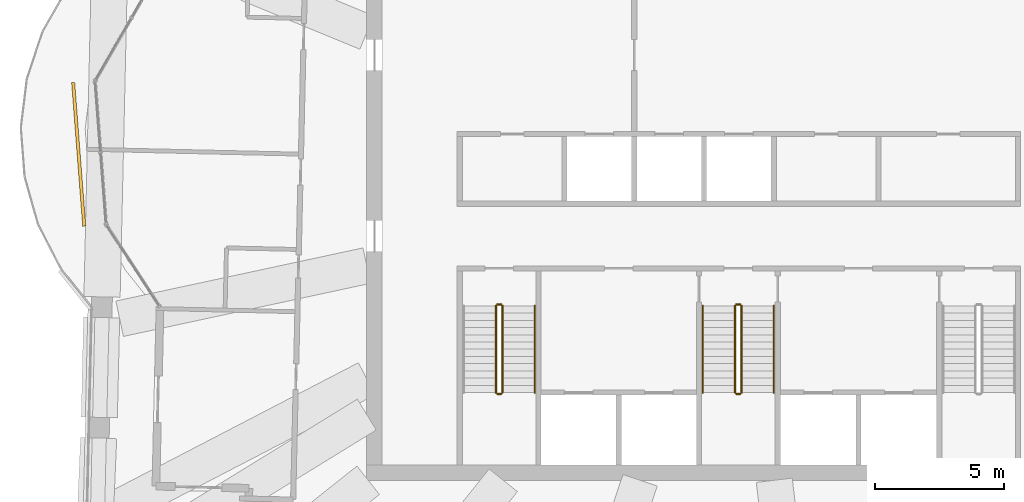
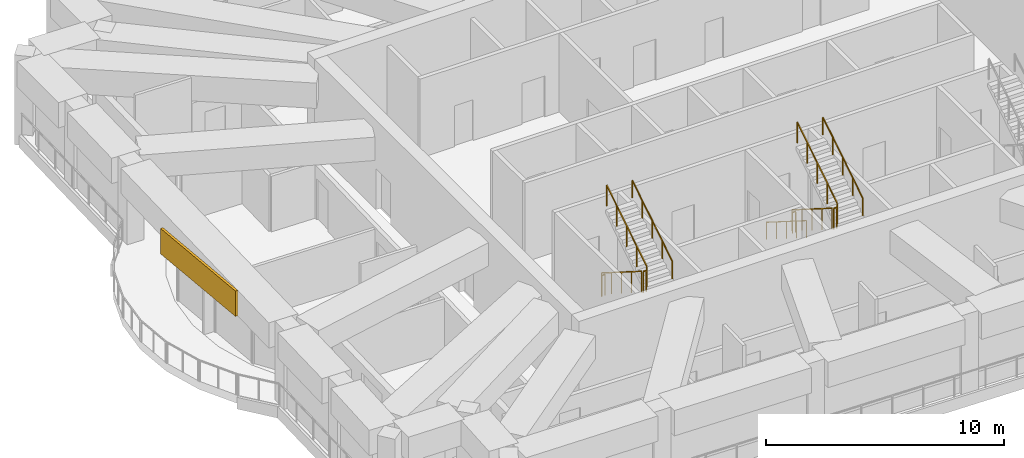
# One storey, part 15 of 19: 11 railings, 1 covering.
"""IFC4 building model written with IfcOpenShell, lengths in metres."""

from ifc_helpers import new_model, si_unit, direction, frame, frame_2d, origin, origin_2d, place, context, subcontext, project, spatial, rectangle, circle, extrude, material, layer, layer_set, type_object, element, save


model = new_model("IFC4")

# Units and contexts
model_context = context("Model", 3, precision=1e-05, world=origin(), true_north=direction((0.0, 1.0)))
body_context = subcontext(model_context, "Body", "Model", "MODEL_VIEW")
ifc_project = project(units=[si_unit("LENGTHUNIT", "METRE"), si_unit("AREAUNIT", "SQUARE_METRE"), si_unit("VOLUMEUNIT", "CUBIC_METRE"), si_unit("PLANEANGLEUNIT", "RADIAN"), si_unit("MASSUNIT", "GRAM", prefix="KILO")], contexts=[model_context])

# Site, building, storey
site_placement = place(None, origin())
site = spatial("IfcSite", under=ifc_project, at=site_placement, CompositionType="ELEMENT")
building_placement = place(site_placement, origin())
building = spatial("IfcBuilding", under=site, at=building_placement, Name="Mangrove Gate Tower", CompositionType="ELEMENT")
storey_placement = place(building_placement, frame((0.0, 0.0, 346.10009765625)))
storey = spatial("IfcBuildingStorey", under=building, at=storey_placement, Name="L88", CompositionType="ELEMENT", Elevation=346.10009765625)

# Railings
ifc_material_1 = material(Name="Stainless steel 316", Category="steel")
railing_type_1 = type_object("IfcRailingType", Name="Core stair guard 1100", PredefinedType="GUARDRAIL", material=ifc_material_1)
railing_1_placement = place(storey_placement, frame((-9.39990234375, -4.64990234375, 0.1767578125)))
element("IfcRailing", 1, at=railing_1_placement, inside=storey, type_object=railing_type_1, Name="L88 ST1 stair guard 1", PredefinedType="GUARDRAIL", context=body_context, shape_type="SweptSolid", body=[
    extrude(rectangle(XDim=0.048095703125, YDim=0.048095703125, at=origin_2d()), frame((0.0, 0.0, 1.076171875), z_axis=(0.0, -0.845389635667, 0.534150132366), x_axis=(1.0, 0.0, 0.0)), (0.0, 0.0, 1.0), 3.974609375),
    extrude(rectangle(XDim=0.0419921875, YDim=0.0419921875, at=origin_2d()), origin(), (0.0, 0.0, 1.0), 1.052001953125),
    extrude(rectangle(XDim=0.0419921875, YDim=0.0419921875, at=origin_2d()), frame((0.0, -0.840087890625, 0.53076171875)), (0.0, 0.0, 1.0), 1.052001953125),
    extrude(rectangle(XDim=0.0419921875, YDim=0.0419921875, at=origin_2d()), frame((0.0, -1.68017578125, 1.0615234375)), (0.0, 0.0, 1.0), 1.052001953125),
    extrude(rectangle(XDim=0.0419921875, YDim=0.0419921875, at=origin_2d()), frame((0.0, -2.52001953125, 1.59228515625)), (0.0, 0.0, 1.0), 1.052001953125),
    extrude(rectangle(XDim=0.0419921875, YDim=0.0419921875, at=origin_2d()), frame((0.0, -3.360107421875, 2.123046875)), (0.0, 0.0, 1.0), 1.052001953125),
])
railing_2_placement = place(storey_placement, frame((-9.35009765625, -8.06005859375, 2.2998046875)))
element("IfcRailing", 2, at=railing_2_placement, inside=storey, type_object=railing_type_1, Name="L88 ST1 stair guard 2", PredefinedType="GUARDRAIL", context=body_context, shape_type="SweptSolid", body=[
    extrude(rectangle(XDim=0.048095703125, YDim=0.048095703125, at=origin_2d()), frame((0.0, 0.0, 1.076171875), z_axis=(1.0, 0.0, 0.0), x_axis=(0.0, 1.0, 0.0)), (0.0, 0.0, 1.0), 0.150146484375),
    extrude(rectangle(XDim=0.0419921875, YDim=0.0419921875, at=origin_2d()), origin(), (0.0, 0.0, 1.0), 1.052001953125),
    extrude(rectangle(XDim=0.0419921875, YDim=0.0419921875, at=origin_2d()), frame((0.150146484375, 0.0, 0.0)), (0.0, 0.0, 1.0), 1.052001953125),
])
railing_3_placement = place(storey_placement, frame((-9.14990234375, -8.010009765625, 2.476806640625)))
element("IfcRailing", 3, at=railing_3_placement, inside=storey, type_object=railing_type_1, Name="L88 ST1 stair guard 3", PredefinedType="GUARDRAIL", context=body_context, shape_type="SweptSolid", body=[
    extrude(rectangle(XDim=0.048095703125, YDim=0.048095703125, at=origin_2d()), frame((0.0, 0.0, 1.076171875), z_axis=(0.0, 0.845389635667, 0.534150132366), x_axis=(-1.0, 0.0, 0.0)), (0.0, 0.0, 1.0), 3.974609375),
    extrude(rectangle(XDim=0.0419921875, YDim=0.0419921875, at=origin_2d()), origin(), (0.0, 0.0, 1.0), 1.052001953125),
    extrude(rectangle(XDim=0.0419921875, YDim=0.0419921875, at=origin_2d()), frame((0.0, 0.840087890625, 0.53076171875)), (0.0, 0.0, 1.0), 1.052001953125),
    extrude(rectangle(XDim=0.0419921875, YDim=0.0419921875, at=origin_2d()), frame((0.0, 1.68017578125, 1.0615234375)), (0.0, 0.0, 1.0), 1.052001953125),
    extrude(rectangle(XDim=0.0419921875, YDim=0.0419921875, at=origin_2d()), frame((0.0, 2.52001953125, 1.59228515625)), (0.0, 0.0, 1.0), 1.052001953125),
    extrude(rectangle(XDim=0.0419921875, YDim=0.0419921875, at=origin_2d()), frame((0.0, 3.360107421875, 2.123046875)), (0.0, 0.0, 1.0), 1.052001953125),
])
railing_4_placement = place(storey_placement, frame((-9.35009765625, -4.60009765625, 0.0)))
element("IfcRailing", 4, at=railing_4_placement, inside=storey, type_object=railing_type_1, Name="L88 ST1 stair guard 4", PredefinedType="GUARDRAIL", context=body_context, shape_type="SweptSolid", body=[
    extrude(rectangle(XDim=0.048095703125, YDim=0.048095703125, at=origin_2d()), frame((0.0, 0.0, 1.076171875), z_axis=(1.0, 0.0, 0.0), x_axis=(0.0, 1.0, 0.0)), (0.0, 0.0, 1.0), 0.150146484375),
    extrude(rectangle(XDim=0.0419921875, YDim=0.0419921875, at=origin_2d()), origin(), (0.0, 0.0, 1.0), 1.052001953125),
    extrude(rectangle(XDim=0.0419921875, YDim=0.0419921875, at=origin_2d()), frame((0.150146484375, 0.0, 0.0)), (0.0, 0.0, 1.0), 1.052001953125),
])
railing_5_placement = place(storey_placement, frame((-0.14990234375, -4.64990234375, 0.1767578125)))
element("IfcRailing", 5, at=railing_5_placement, inside=storey, type_object=railing_type_1, Name="L88 ST2 stair guard 1", PredefinedType="GUARDRAIL", context=body_context, shape_type="SweptSolid", body=[
    extrude(rectangle(XDim=0.048095703125, YDim=0.048095703125, at=origin_2d()), frame((0.0, 0.0, 1.076171875), z_axis=(0.0, -0.845389635667, 0.534150132366), x_axis=(1.0, 0.0, 0.0)), (0.0, 0.0, 1.0), 3.974609375),
    extrude(rectangle(XDim=0.0419921875, YDim=0.0419921875, at=origin_2d()), origin(), (0.0, 0.0, 1.0), 1.052001953125),
    extrude(rectangle(XDim=0.0419921875, YDim=0.0419921875, at=origin_2d()), frame((0.0, -0.840087890625, 0.53076171875)), (0.0, 0.0, 1.0), 1.052001953125),
    extrude(rectangle(XDim=0.0419921875, YDim=0.0419921875, at=origin_2d()), frame((0.0, -1.68017578125, 1.0615234375)), (0.0, 0.0, 1.0), 1.052001953125),
    extrude(rectangle(XDim=0.0419921875, YDim=0.0419921875, at=origin_2d()), frame((0.0, -2.52001953125, 1.59228515625)), (0.0, 0.0, 1.0), 1.052001953125),
    extrude(rectangle(XDim=0.0419921875, YDim=0.0419921875, at=origin_2d()), frame((0.0, -3.360107421875, 2.123046875)), (0.0, 0.0, 1.0), 1.052001953125),
])
railing_6_placement = place(storey_placement, frame((-0.10009765625, -8.06005859375, 2.2998046875)))
element("IfcRailing", 6, at=railing_6_placement, inside=storey, type_object=railing_type_1, Name="L88 ST2 stair guard 2", PredefinedType="GUARDRAIL", context=body_context, shape_type="SweptSolid", body=[
    extrude(rectangle(XDim=0.048095703125, YDim=0.048095703125, at=origin_2d()), frame((0.0, 0.0, 1.076171875), z_axis=(1.0, 0.0, 0.0), x_axis=(0.0, 1.0, 0.0)), (0.0, 0.0, 1.0), 0.150146484375),
    extrude(rectangle(XDim=0.0419921875, YDim=0.0419921875, at=origin_2d()), origin(), (0.0, 0.0, 1.0), 1.052001953125),
    extrude(rectangle(XDim=0.0419921875, YDim=0.0419921875, at=origin_2d()), frame((0.150146484375, 0.0, 0.0)), (0.0, 0.0, 1.0), 1.052001953125),
])
railing_7_placement = place(storey_placement, frame((0.10009765625, -8.010009765625, 2.476806640625)))
element("IfcRailing", 7, at=railing_7_placement, inside=storey, type_object=railing_type_1, Name="L88 ST2 stair guard 3", PredefinedType="GUARDRAIL", context=body_context, shape_type="SweptSolid", body=[
    extrude(rectangle(XDim=0.048095703125, YDim=0.048095703125, at=origin_2d()), frame((0.0, 0.0, 1.076171875), z_axis=(0.0, 0.845389635667, 0.534150132366), x_axis=(-1.0, 0.0, 0.0)), (0.0, 0.0, 1.0), 3.974609375),
    extrude(rectangle(XDim=0.0419921875, YDim=0.0419921875, at=origin_2d()), origin(), (0.0, 0.0, 1.0), 1.052001953125),
    extrude(rectangle(XDim=0.0419921875, YDim=0.0419921875, at=origin_2d()), frame((0.0, 0.840087890625, 0.53076171875)), (0.0, 0.0, 1.0), 1.052001953125),
    extrude(rectangle(XDim=0.0419921875, YDim=0.0419921875, at=origin_2d()), frame((0.0, 1.68017578125, 1.0615234375)), (0.0, 0.0, 1.0), 1.052001953125),
    extrude(rectangle(XDim=0.0419921875, YDim=0.0419921875, at=origin_2d()), frame((0.0, 2.52001953125, 1.59228515625)), (0.0, 0.0, 1.0), 1.052001953125),
    extrude(rectangle(XDim=0.0419921875, YDim=0.0419921875, at=origin_2d()), frame((0.0, 3.360107421875, 2.123046875)), (0.0, 0.0, 1.0), 1.052001953125),
])
railing_8_placement = place(storey_placement, frame((-0.10009765625, -4.60009765625, 0.0)))
element("IfcRailing", 8, at=railing_8_placement, inside=storey, type_object=railing_type_1, Name="L88 ST2 stair guard 4", PredefinedType="GUARDRAIL", context=body_context, shape_type="SweptSolid", body=[
    extrude(rectangle(XDim=0.048095703125, YDim=0.048095703125, at=origin_2d()), frame((0.0, 0.0, 1.076171875), z_axis=(1.0, 0.0, 0.0), x_axis=(0.0, 1.0, 0.0)), (0.0, 0.0, 1.0), 0.150146484375),
    extrude(rectangle(XDim=0.0419921875, YDim=0.0419921875, at=origin_2d()), origin(), (0.0, 0.0, 1.0), 1.052001953125),
    extrude(rectangle(XDim=0.0419921875, YDim=0.0419921875, at=origin_2d()), frame((0.150146484375, 0.0, 0.0)), (0.0, 0.0, 1.0), 1.052001953125),
])
ifc_material_2 = material(Name="Stainless steel 316", Category="steel")
railing_type_2 = type_object("IfcRailingType", Name="Core stair handrail 900", PredefinedType="HANDRAIL", material=ifc_material_2)
railing_9_placement = place(storey_placement, frame((-7.89990234375, -8.010009765625, 2.476806640625)))
element("IfcRailing", 9, at=railing_9_placement, inside=storey, type_object=railing_type_2, Name="L88 ST1 stair handrail 2", PredefinedType="HANDRAIL", context=body_context, shape_type="SweptSolid", body=[
    extrude(circle(Radius=0.02392578125, at=origin_2d()), frame((0.0, 0.0, 0.8759765625), z_axis=(0.0, 0.845389635667, 0.534150132366), x_axis=(-1.0, 0.0, 0.0)), (0.0, 0.0, 1.0), 3.974609375),
    extrude(circle(Radius=0.02099609375, at=origin_2d()), origin(), (0.0, 0.0, 1.0), 0.851806640625),
    extrude(circle(Radius=0.02099609375, at=origin_2d()), frame((0.0, 0.840087890625, 0.53076171875)), (0.0, 0.0, 1.0), 0.851806640625),
    extrude(circle(Radius=0.02099609375, at=origin_2d()), frame((0.0, 1.68017578125, 1.0615234375)), (0.0, 0.0, 1.0), 0.851806640625),
    extrude(circle(Radius=0.02099609375, at=origin_2d()), frame((0.0, 2.52001953125, 1.59228515625)), (0.0, 0.0, 1.0), 0.851806640625),
    extrude(circle(Radius=0.02099609375, at=origin_2d()), frame((0.0, 3.360107421875, 2.123046875)), (0.0, 0.0, 1.0), 0.851806640625),
])
railing_10_placement = place(storey_placement, frame((-1.39990234375, -4.64990234375, 0.1767578125)))
element("IfcRailing", 10, at=railing_10_placement, inside=storey, type_object=railing_type_2, Name="L88 ST2 stair handrail 1", PredefinedType="HANDRAIL", context=body_context, shape_type="SweptSolid", body=[
    extrude(circle(Radius=0.02392578125, at=origin_2d()), frame((0.0, 0.0, 0.8759765625), z_axis=(0.0, -0.845389635667, 0.534150132366), x_axis=(1.0, 0.0, 0.0)), (0.0, 0.0, 1.0), 3.974609375),
    extrude(circle(Radius=0.02099609375, at=origin_2d()), origin(), (0.0, 0.0, 1.0), 0.851806640625),
    extrude(circle(Radius=0.02099609375, at=origin_2d()), frame((0.0, -0.840087890625, 0.53076171875)), (0.0, 0.0, 1.0), 0.851806640625),
    extrude(circle(Radius=0.02099609375, at=origin_2d()), frame((0.0, -1.68017578125, 1.0615234375)), (0.0, 0.0, 1.0), 0.851806640625),
    extrude(circle(Radius=0.02099609375, at=origin_2d()), frame((0.0, -2.52001953125, 1.59228515625)), (0.0, 0.0, 1.0), 0.851806640625),
    extrude(circle(Radius=0.02099609375, at=origin_2d()), frame((0.0, -3.360107421875, 2.123046875)), (0.0, 0.0, 1.0), 0.851806640625),
])
railing_11_placement = place(storey_placement, frame((1.35009765625, -8.010009765625, 2.476806640625)))
element("IfcRailing", 11, at=railing_11_placement, inside=storey, type_object=railing_type_2, Name="L88 ST2 stair handrail 2", PredefinedType="HANDRAIL", context=body_context, shape_type="SweptSolid", body=[
    extrude(circle(Radius=0.02392578125, at=origin_2d()), frame((0.0, 0.0, 0.8759765625), z_axis=(0.0, 0.845389635667, 0.534150132366), x_axis=(-1.0, 0.0, 0.0)), (0.0, 0.0, 1.0), 3.974609375),
    extrude(circle(Radius=0.02099609375, at=origin_2d()), origin(), (0.0, 0.0, 1.0), 0.851806640625),
    extrude(circle(Radius=0.02099609375, at=origin_2d()), frame((0.0, 0.840087890625, 0.53076171875)), (0.0, 0.0, 1.0), 0.851806640625),
    extrude(circle(Radius=0.02099609375, at=origin_2d()), frame((0.0, 1.68017578125, 1.0615234375)), (0.0, 0.0, 1.0), 0.851806640625),
    extrude(circle(Radius=0.02099609375, at=origin_2d()), frame((0.0, 2.52001953125, 1.59228515625)), (0.0, 0.0, 1.0), 0.851806640625),
    extrude(circle(Radius=0.02099609375, at=origin_2d()), frame((0.0, 3.360107421875, 2.123046875)), (0.0, 0.0, 1.0), 0.851806640625),
])

# Covering
ifc_material_3 = material(Name="Limestone", Category="masonry")
ifc_layer_1 = layer(ifc_material_3, 0.0400390625, Name="Limestone cladding")
ifc_material_4 = material(Name="Stainless steel anchors and cavity", Category="steel")
ifc_layer_2 = layer(ifc_material_4, 0.080078125, Name="Fixing cavity")
ifc_layer_set = layer_set([ifc_layer_1, ifc_layer_2], Name="Joint fascia cladding 120")
covering_type = type_object("IfcCoveringType", Name="Joint fascia cladding 120", PredefinedType="CLADDING", material=ifc_layer_set)
covering_placement = place(storey_placement, frame((-25.759033203125, 3.988037109375, 2.75), z_axis=(0.0, 0.0, 1.0), x_axis=(0.076961115238, -0.997034095075, 0.0)))
element("IfcCovering", 12, at=covering_placement, inside=storey, type_object=covering_type, Name="STONE FASCIA L88 W9.L1", PredefinedType="CLADDING", context=body_context, shape_type="SweptSolid", body=[
    extrude(rectangle(XDim=5.57373046875, YDim=0.1201171875, at=frame_2d((2.786865234375, 0.0))), origin(), (0.0, 0.0, 1.0), 1.2998046875),
])

save(model, "model.ifc")
